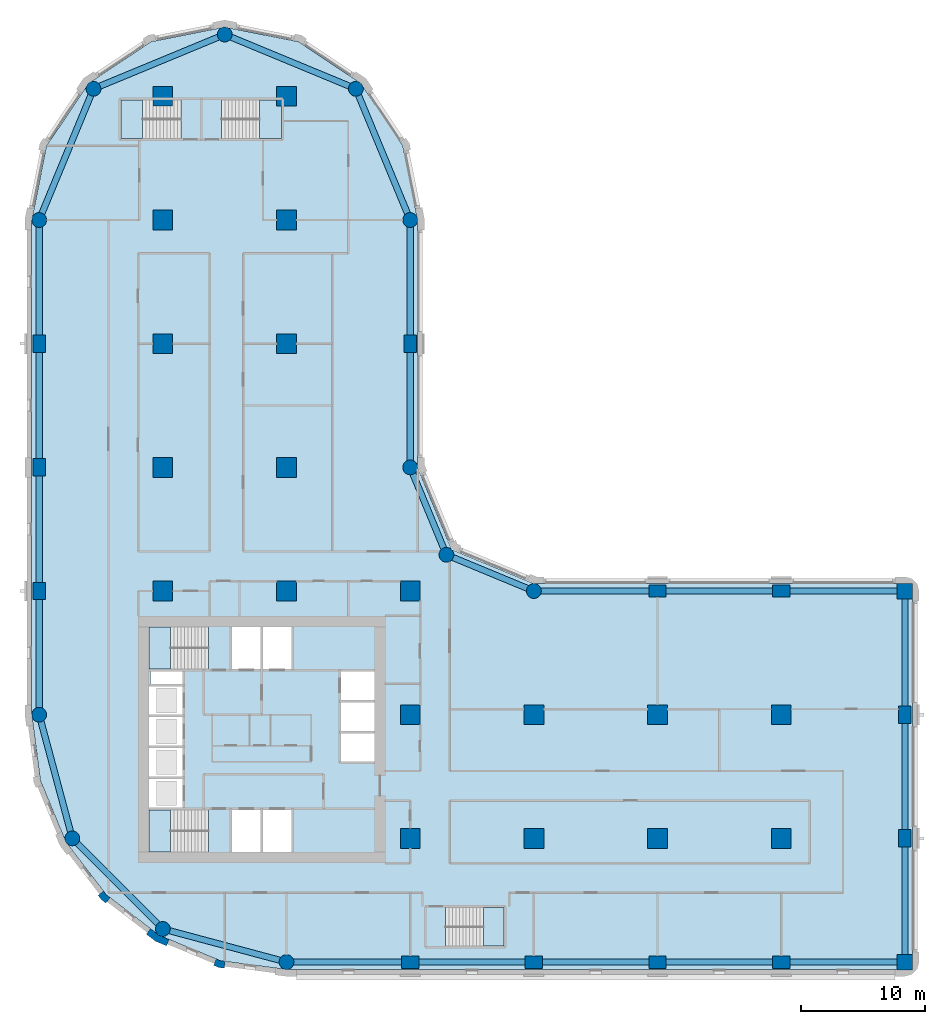
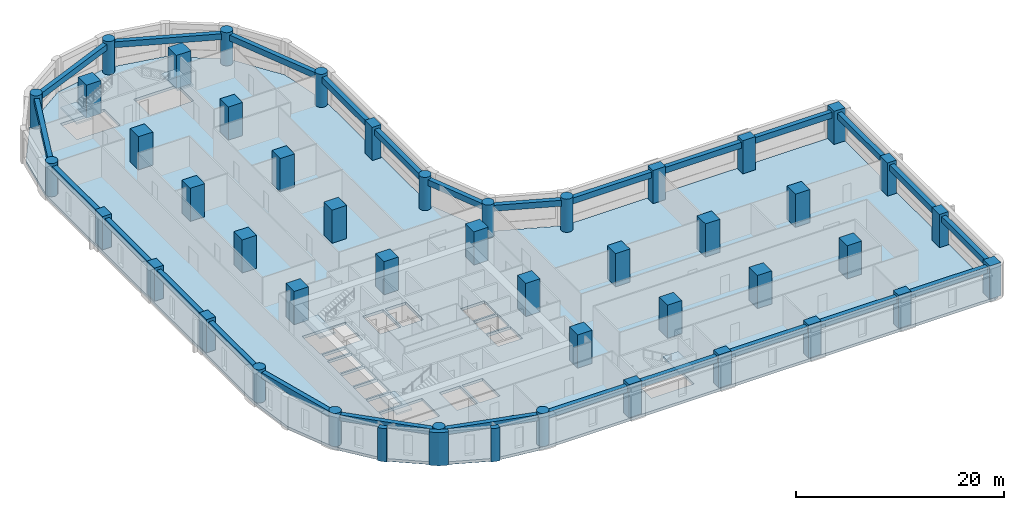
# One storey, part 1 of 10: 45 columns, 26 beams, 6 slabs, 3 walls, 5 elements without a shape of their own.
"""IFC4 building model written with IfcOpenShell, lengths in metres."""

import ifcopenshell
import ifcopenshell.guid

model = None  # the IFC model being written
_history = None  # IfcOwnerHistory: only IFC2X3 demands one
_inside = {}  # id of a spatial element -> (the spatial element, [elements in it])
_under = {}  # id of a project, library or spatial element -> (it, [spatial elements below it])
_declared = {}  # id of a project -> (the project, [libraries it declares])
_typed = {}  # id of a type object -> (the type object, [elements of that type])
_made_of = {}  # id of a material, layer set ... -> (it, [elements and type objects made of it])


def new_model(schema):
    """Start an empty IFC model of exactly this schema.

    Asked for "IFC4X3", IfcOpenShell would pick the latest addendum, in which some entities
    have other attributes; the version numbers below select the first issue.
    IFC2X3 requires an IfcOwnerHistory on every rooted entity: one is made here for all.
    """
    global model, _history
    if schema == "IFC4X3":
        model = ifcopenshell.file(schema_version=(4, 3, 0, 0))
    else:
        model = ifcopenshell.file(schema=schema)
    _inside.clear()
    _under.clear()
    _declared.clear()
    _typed.clear()
    _made_of.clear()
    _history = None
    if model.schema == "IFC2X3":
        org = make("IfcOrganization", Name="unknown")
        user = make(
            "IfcPersonAndOrganization",
            ThePerson=make("IfcPerson", FamilyName="unknown"),
            TheOrganization=org,
        )
        app = make(
            "IfcApplication",
            ApplicationDeveloper=org,
            Version="unknown",
            ApplicationFullName="unknown",
            ApplicationIdentifier="unknown",
        )
        _history = make(
            "IfcOwnerHistory",
            OwningUser=user,
            OwningApplication=app,
            ChangeAction="ADDED",
            CreationDate=0,
        )
    return model


def make(cls, **values):
    """One entity of the class cls with the attributes given. An attribute that is None is left unset."""
    return model.create_entity(
        cls, **{name: value for name, value in values.items() if value is not None}
    )


def rooted(cls, **values):
    """An entity with a GlobalId (a new one), such as an element, a storey or a relation."""
    return make(cls, GlobalId=ifcopenshell.guid.new(), OwnerHistory=_history, **values)


def si_unit(unit_type, name, prefix=None):
    """IfcSIUnit, for example si_unit("LENGTHUNIT", "METRE", prefix="MILLI")."""
    return make("IfcSIUnit", UnitType=unit_type, Prefix=prefix, Name=name)


def assignment(units):
    """IfcUnitAssignment: the units of a project."""
    return None if units is None else make("IfcUnitAssignment", Units=units)


def point(xyz):
    """IfcCartesianPoint."""
    return None if xyz is None else make("IfcCartesianPoint", Coordinates=xyz)


def direction(xyz):
    """IfcDirection."""
    return None if xyz is None else make("IfcDirection", DirectionRatios=xyz)


def frame(location, z_axis=None, x_axis=None):
    """IfcAxis2Placement3D, a coordinate frame: its origin and axes. An axis left out is left unset."""
    return make(
        "IfcAxis2Placement3D",
        Location=point(location),
        Axis=direction(z_axis),
        RefDirection=direction(x_axis),
    )


def frame_2d(location, x_axis=None):
    """IfcAxis2Placement2D, a coordinate frame in the plane: its origin and x axis."""
    return make(
        "IfcAxis2Placement2D", Location=point(location), RefDirection=direction(x_axis)
    )


def origin():
    """The frame at (0, 0, 0) with its axes left unset."""
    return frame((0.0, 0.0, 0.0))


def origin_2d():
    """The frame at (0, 0) in the plane with its x axis left unset."""
    return frame_2d((0.0, 0.0))


def place(relative_to, where):
    """IfcLocalPlacement: puts the frame where relative to a parent placement (None: the world)."""
    return make(
        "IfcLocalPlacement", PlacementRelTo=relative_to, RelativePlacement=where
    )


def context(
    kind, dimensions, precision=None, world=None, true_north=None, identifier=None
):
    """IfcGeometricRepresentationContext, for example the 3D "Model" context."""
    return make(
        "IfcGeometricRepresentationContext",
        ContextIdentifier=identifier,
        ContextType=kind,
        CoordinateSpaceDimension=dimensions,
        Precision=precision,
        WorldCoordinateSystem=world,
        TrueNorth=true_north,
    )


def subcontext(parent, identifier, kind, view, scale=None):
    """IfcGeometricRepresentationSubContext, for example "Body" below "Model"."""
    return make(
        "IfcGeometricRepresentationSubContext",
        ContextIdentifier=identifier,
        ContextType=kind,
        ParentContext=parent,
        TargetScale=scale,
        TargetView=view,
    )


def project(units=None, contexts=None):
    """IfcProject with its units and contexts."""
    return rooted(
        "IfcProject",
        Name="project",
        RepresentationContexts=contexts,
        UnitsInContext=assignment(units),
    )


def spatial(cls, under=None, at=None, **own):
    """A site, building, storey or space (cls), placed at a placement, below another one or the project."""
    s = rooted(cls, ObjectPlacement=at, **own)
    if under is not None:
        _under.setdefault(under.id(), (under, []))[1].append(s)
    return s


def polyline(points):
    """IfcPolyline through the points."""
    return make("IfcPolyline", Points=[point(p) for p in points])


def profile(cls, at=None, kind="AREA", **sizes):
    """A parametric profile (cls). Its sizes go by their IFC names, for example OverallWidth=200.0."""
    return make(cls, ProfileType=kind, Position=at, **sizes)


def rectangle(**sizes):
    """IfcRectangleProfileDef."""
    return profile("IfcRectangleProfileDef", **sizes)


def circle(**sizes):
    """IfcCircleProfileDef."""
    return profile("IfcCircleProfileDef", **sizes)


def outline(outer, holes=None, kind="AREA"):
    """IfcArbitraryClosedProfileDef: a profile drawn as a closed curve; with holes, ...WithVoids."""
    if holes is None:
        return make("IfcArbitraryClosedProfileDef", ProfileType=kind, OuterCurve=outer)
    return make(
        "IfcArbitraryProfileDefWithVoids",
        ProfileType=kind,
        OuterCurve=outer,
        InnerCurves=holes,
    )


def extrude(swept, where, along, depth):
    """IfcExtrudedAreaSolid: the profile swept, set in the frame where, extruded along a direction by depth."""
    return make(
        "IfcExtrudedAreaSolid",
        SweptArea=swept,
        Position=where,
        ExtrudedDirection=direction(along),
        Depth=depth,
    )


def shape(context_of_items, identifier, shape_type, items):
    """IfcShapeRepresentation: the items that make up one representation, for example the "Body"."""
    return make(
        "IfcShapeRepresentation",
        ContextOfItems=context_of_items,
        RepresentationIdentifier=identifier,
        RepresentationType=shape_type,
        Items=items,
    )


def material(Name=None, Category=None):
    """IfcMaterial."""
    return make("IfcMaterial", Name=Name, Category=Category)


def layer(
    of_material, thickness, ventilated=None, Name=None, Category=None, Priority=None
):
    """IfcMaterialLayer: one layer of a wall or slab, of a material (None: an air gap)."""
    return make(
        "IfcMaterialLayer",
        Material=of_material,
        LayerThickness=thickness,
        IsVentilated=ventilated,
        Name=Name,
        Category=Category,
        Priority=Priority,
    )


def layer_set(layers, Name=None):
    """IfcMaterialLayerSet."""
    return make("IfcMaterialLayerSet", MaterialLayers=layers, LayerSetName=Name)


def material_profile(
    of_material, cross_section, Name=None, Category=None, Priority=None
):
    """IfcMaterialProfile: a cross section and its material."""
    return make(
        "IfcMaterialProfile",
        Name=Name,
        Material=of_material,
        Profile=cross_section,
        Priority=Priority,
        Category=Category,
    )


def profile_set(profiles, Name=None, composite=None):
    """IfcMaterialProfileSet."""
    return make(
        "IfcMaterialProfileSet",
        Name=Name,
        MaterialProfiles=profiles,
        CompositeProfile=composite,
    )


def made_of(thing, what):
    """Note that an element or type object is made of a material, layer set ...; save() writes the relation."""
    if what is not None:
        _made_of.setdefault(what.id(), (what, []))[1].append(thing)
    return thing


def type_object(cls, material=None, **own):
    """A type object (cls), such as IfcWallType, which elements share."""
    return made_of(rooted(cls, **own), material)


def element(
    cls,
    number,
    at=None,
    inside=None,
    cuts=None,
    type_object=None,
    material=None,
    context=None,
    identifier="Body",
    shape_type=None,
    held_by="IfcProductDefinitionShape",
    body=None,
    shapes=None,
    **own,
):
    """One element of the class cls, such as IfcWall. Its Tag is "e" and its number.

    at: its placement. inside: the storey or other place that contains it. cuts: it is an
    opening in that element (IfcRelVoidsElement). A single representation is given by context,
    identifier, shape_type and body (its items); several are given by shapes. held_by: the class
    of the entity that holds the representations. save() writes the other relations.
    """
    e = rooted(cls, Tag="e%d" % number, ObjectPlacement=at, **own)
    if body is not None:
        shapes = [shape(context, identifier, shape_type, body)]
    if shapes is not None:
        e.Representation = make(held_by, Representations=shapes)
    if inside is not None:
        _inside.setdefault(inside.id(), (inside, []))[1].append(e)
    if cuts is not None:
        rooted(
            "IfcRelVoidsElement", RelatingBuildingElement=cuts, RelatedOpeningElement=e
        )
    if type_object is not None:
        _typed.setdefault(type_object.id(), (type_object, []))[1].append(e)
    return made_of(e, material)


def aggregate(whole, parts):
    """IfcRelAggregates: a whole, such as a stair, and the parts it consists of."""
    return rooted("IfcRelAggregates", RelatingObject=whole, RelatedObjects=parts)


def save(model, path):
    """Write the relations noted so far, then the file.

    IfcRelAggregates (storeys below a building ...), IfcRelContainedInSpatialStructure (elements
    in a storey), IfcRelDefinesByType, IfcRelAssociatesMaterial and IfcRelDeclares: one each for
    every whole, place, type object, material and project.
    """
    for whole, parts in _under.values():
        aggregate(whole, parts)
    for where, things in _inside.values():
        rooted(
            "IfcRelContainedInSpatialStructure",
            RelatedElements=things,
            RelatingStructure=where,
        )
    for kind, things in _typed.values():
        rooted("IfcRelDefinesByType", RelatedObjects=things, RelatingType=kind)
    for what, things in _made_of.values():
        rooted("IfcRelAssociatesMaterial", RelatedObjects=things, RelatingMaterial=what)
    for by, libraries in _declared.values():
        rooted("IfcRelDeclares", RelatingContext=by, RelatedDefinitions=libraries)
    model.write(path)


model = new_model("IFC4")

# Units and contexts
model_context = context("Model", 3, precision=1e-05, world=origin(), true_north=direction((0.0, 1.0)))
body_context = subcontext(model_context, "Body", "Model", "MODEL_VIEW")
ifc_project = project(units=[si_unit("LENGTHUNIT", "METRE"), si_unit("AREAUNIT", "SQUARE_METRE"), si_unit("VOLUMEUNIT", "CUBIC_METRE"), si_unit("PLANEANGLEUNIT", "RADIAN"), si_unit("MASSUNIT", "GRAM", prefix="KILO")], contexts=[model_context])

# Site, building, storey
site_placement = place(None, origin())
site = spatial("IfcSite", under=ifc_project, at=site_placement, CompositionType="ELEMENT")
building_placement = place(site_placement, origin())
building = spatial("IfcBuilding", under=site, at=building_placement, Name="Qaws Garden Tower", CompositionType="ELEMENT")
storey_placement = place(building_placement, frame((0.0, 0.0, 109.5)))
storey = spatial("IfcBuildingStorey", under=building, at=storey_placement, Name="L27", CompositionType="ELEMENT", Elevation=109.5)

# Columns
ifc_material_1 = material(Name="Concrete C80", Category="concrete")
ifc_material_profile_1 = material_profile(ifc_material_1, rectangle(XDim=1.25, YDim=1.25, at=origin_2d()), Name="RC 1250x1250")
ifc_profile_set_1 = profile_set([ifc_material_profile_1], Name="Concrete C80")
column_type_1 = type_object("IfcColumnType", Name="Column RC 1250x1250 C80", PredefinedType="COLUMN", material=ifc_profile_set_1)
for number, where, z_axis, x_axis, name in (
    (1, (70.0, 0.0, 0.0), (0.0, 0.0, 1.0), (1.0, 0.0, 0.0), "Column L27-006"),
    (2, (70.0, 30.0, 0.0), (0.0, 0.0, 1.0), (1.0, 0.0, 0.0), "Column L27-009"),
):
    element("IfcColumn", number, at=place(storey_placement, frame(where, z_axis=z_axis, x_axis=x_axis)), inside=storey, type_object=column_type_1, Name=name, PredefinedType="COLUMN", context=body_context, shape_type="SweptSolid", body=[
        extrude(rectangle(XDim=1.25, YDim=1.25, at=origin_2d()), origin(), (0.0, 0.0, 1.0), 3.89990234375),
    ])
ifc_material_2 = material(Name="Concrete C80", Category="concrete")
ifc_material_profile_2 = material_profile(ifc_material_2, rectangle(XDim=1.39990234375, YDim=1.0, at=origin_2d()), Name="RC 1400x1000")
ifc_profile_set_2 = profile_set([ifc_material_profile_2], Name="Concrete C80")
column_type_2 = type_object("IfcColumnType", Name="Column RC 1400x1000 C80", PredefinedType="COLUMN", material=ifc_profile_set_2)
for number, where, z_axis, x_axis, name in (
    (3, (30.0, 0.0, 0.0), (0.0, 0.0, 1.0), (1.0, 0.0, 0.0), "Column L27-002"),
    (4, (40.0, 0.0, 0.0), (0.0, 0.0, 1.0), (1.0, 0.0, 0.0), "Column L27-003"),
    (5, (50.0, 0.0, 0.0), (0.0, 0.0, 1.0), (1.0, 0.0, 0.0), "Column L27-004"),
    (6, (60.0, 0.0, 0.0), (0.0, 0.0, 1.0), (1.0, 0.0, 0.0), "Column L27-005"),
    (7, (70.0, 10.0, 0.0), (0.0, 0.0, 1.0), (0.0, 1.0, 0.0), "Column L27-007"),
    (8, (70.0, 20.0, 0.0), (0.0, 0.0, 1.0), (0.0, 1.0, 0.0), "Column L27-008"),
    (9, (60.0, 30.0, 0.0), (0.0, 0.0, 1.0), (1.0, 0.0, 0.0), "Column L27-010"),
    (10, (50.0, 30.0, 0.0), (0.0, 0.0, 1.0), (1.0, 0.0, 0.0), "Column L27-011"),
    (11, (30.0, 50.0, 0.0), (0.0, 0.0, 1.0), (0.0, 1.0, 0.0), "Column L27-015"),
    (12, (0.0, 50.0, 0.0), (0.0, 0.0, 1.0), (0.0, 1.0, 0.0), "Column L27-021"),
    (13, (0.0, 40.0, 0.0), (0.0, 0.0, 1.0), (0.0, 1.0, 0.0), "Column L27-022"),
    (14, (0.0, 30.0, 0.0), (0.0, 0.0, 1.0), (0.0, 1.0, 0.0), "Column L27-023"),
):
    element("IfcColumn", number, at=place(storey_placement, frame(where, z_axis=z_axis, x_axis=x_axis)), inside=storey, type_object=column_type_2, Name=name, PredefinedType="COLUMN", context=body_context, shape_type="SweptSolid", body=[
        extrude(rectangle(XDim=1.39990234375, YDim=1.0, at=origin_2d()), origin(), (0.0, 0.0, 1.0), 3.89990234375),
    ])
ifc_material_3 = material(Name="Concrete C80", Category="concrete")
ifc_material_profile_3 = material_profile(ifc_material_3, rectangle(XDim=1.60009765625, YDim=1.60009765625, at=origin_2d()), Name="RC 1600x1600")
ifc_profile_set_3 = profile_set([ifc_material_profile_3], Name="Concrete C80")
column_type_3 = type_object("IfcColumnType", Name="Column RC 1600x1600 C80", PredefinedType="COLUMN", material=ifc_profile_set_3)
for number, where, z_axis, x_axis, name in (
    (15, (10.0, 30.0, 0.0), (0.0, 0.0, 1.0), (1.0, 0.0, 0.0), "Column L27-027"),
    (16, (10.0, 40.0, 0.0), (0.0, 0.0, 1.0), (1.0, 0.0, 0.0), "Column L27-028"),
    (17, (10.0, 50.0, 0.0), (0.0, 0.0, 1.0), (1.0, 0.0, 0.0), "Column L27-029"),
    (18, (10.0, 60.0, 0.0), (0.0, 0.0, 1.0), (1.0, 0.0, 0.0), "Column L27-030"),
    (19, (10.0, 70.0, 0.0), (0.0, 0.0, 1.0), (1.0, 0.0, 0.0), "Column L27-031"),
    (20, (20.0, 30.0, 0.0), (0.0, 0.0, 1.0), (1.0, 0.0, 0.0), "Column L27-032"),
    (21, (20.0, 40.0, 0.0), (0.0, 0.0, 1.0), (1.0, 0.0, 0.0), "Column L27-033"),
    (22, (20.0, 50.0, 0.0), (0.0, 0.0, 1.0), (1.0, 0.0, 0.0), "Column L27-034"),
    (23, (20.0, 60.0, 0.0), (0.0, 0.0, 1.0), (1.0, 0.0, 0.0), "Column L27-035"),
    (24, (20.0, 70.0, 0.0), (0.0, 0.0, 1.0), (1.0, 0.0, 0.0), "Column L27-036"),
    (25, (30.0, 10.0, 0.0), (0.0, 0.0, 1.0), (1.0, 0.0, 0.0), "Column L27-037"),
    (26, (30.0, 20.0, 0.0), (0.0, 0.0, 1.0), (1.0, 0.0, 0.0), "Column L27-038"),
    (27, (30.0, 30.0, 0.0), (0.0, 0.0, 1.0), (1.0, 0.0, 0.0), "Column L27-039"),
    (28, (40.0, 10.0, 0.0), (0.0, 0.0, 1.0), (1.0, 0.0, 0.0), "Column L27-040"),
    (29, (40.0, 20.0, 0.0), (0.0, 0.0, 1.0), (1.0, 0.0, 0.0), "Column L27-041"),
    (30, (50.0, 10.0, 0.0), (0.0, 0.0, 1.0), (1.0, 0.0, 0.0), "Column L27-042"),
    (31, (50.0, 20.0, 0.0), (0.0, 0.0, 1.0), (1.0, 0.0, 0.0), "Column L27-043"),
    (32, (60.0, 10.0, 0.0), (0.0, 0.0, 1.0), (1.0, 0.0, 0.0), "Column L27-044"),
    (33, (60.0, 20.0, 0.0), (0.0, 0.0, 1.0), (1.0, 0.0, 0.0), "Column L27-045"),
):
    element("IfcColumn", number, at=place(storey_placement, frame(where, z_axis=z_axis, x_axis=x_axis)), inside=storey, type_object=column_type_3, Name=name, PredefinedType="COLUMN", context=body_context, shape_type="SweptSolid", body=[
        extrude(rectangle(XDim=1.60009765625, YDim=1.60009765625, at=origin_2d()), origin(), (0.0, 0.0, 1.0), 3.89990234375),
    ])
ifc_material_4 = material(Name="Concrete C80", Category="concrete")
ifc_material_profile_4 = material_profile(ifc_material_4, circle(Radius=0.60009765625, at=origin_2d()), Name="RC D1200")
ifc_profile_set_4 = profile_set([ifc_material_profile_4], Name="Concrete C80")
column_type_4 = type_object("IfcColumnType", Name="Column RC D1200 C80", PredefinedType="COLUMN", material=ifc_profile_set_4)
for number, where, z_axis, x_axis, name in (
    (34, (20.0, 0.0, 0.0), (0.0, 0.0, 1.0), (1.0, 0.0, 0.0), "Column L27-001"),
    (35, (40.0, 30.0, 0.0), (0.0, 0.0, 1.0), (1.0, 0.0, 0.0), "Column L27-012"),
    (36, (32.928955078125, 32.928955078125, 0.0), (0.0, 0.0, 1.0), (1.0, 0.0, 0.0), "Column L27-013"),
    (37, (30.0, 40.0, 0.0), (0.0, 0.0, 1.0), (1.0, 0.0, 0.0), "Column L27-014"),
    (38, (30.0, 60.0, 0.0), (0.0, 0.0, 1.0), (1.0, 0.0, 0.0), "Column L27-016"),
    (39, (25.606689453125, 70.606689453125, 0.0), (0.0, 0.0, 1.0), (1.0, 0.0, 0.0), "Column L27-017"),
    (40, (15.0, 75.0, 0.0), (0.0, 0.0, 1.0), (1.0, 0.0, 0.0), "Column L27-018"),
    (41, (4.393310546875, 70.606689453125, 0.0), (0.0, 0.0, 1.0), (1.0, 0.0, 0.0), "Column L27-019"),
    (42, (0.0, 60.0, 0.0), (0.0, 0.0, 1.0), (1.0, 0.0, 0.0), "Column L27-020"),
    (43, (0.0, 20.0, 0.0), (0.0, 0.0, 1.0), (1.0, 0.0, 0.0), "Column L27-024"),
    (44, (2.679443359375, 10.0, 0.0), (0.0, 0.0, 1.0), (1.0, 0.0, 0.0), "Column L27-025"),
    (45, (10.0, 2.679443359375, 0.0), (0.0, 0.0, 1.0), (1.0, 0.0, 0.0), "Column L27-026"),
):
    element("IfcColumn", number, at=place(storey_placement, frame(where, z_axis=z_axis, x_axis=x_axis)), inside=storey, type_object=column_type_4, Name=name, PredefinedType="COLUMN", context=body_context, shape_type="SweptSolid", body=[
        extrude(circle(Radius=0.60009765625, at=origin_2d()), origin(), (0.0, 0.0, 1.0), 3.89990234375),
    ])

# Beams
ifc_material_5 = material(Name="Concrete C45", Category="concrete")
ifc_material_profile_5 = material_profile(ifc_material_5, rectangle(XDim=0.5, YDim=0.699951171875, at=origin_2d()), Name="RC 500x700")
ifc_profile_set_5 = profile_set([ifc_material_profile_5], Name="Concrete C45")
beam_type = type_object("IfcBeamType", Name="Spandrel beam RC 500x700 C45", PredefinedType="SPANDREL", material=ifc_profile_set_5)
for number, where, z_axis, x_axis, name in (
    (46, (20.0, 0.0, 3.22998046875), (1.0, 0.0, 0.0), (0.0, 1.0, 0.0), "Spandrel beam L27-001"),
    (47, (30.0, 0.0, 3.22998046875), (1.0, 0.0, 0.0), (0.0, 1.0, 0.0), "Spandrel beam L27-002"),
    (48, (40.0, 0.0, 3.22998046875), (1.0, 0.0, 0.0), (0.0, 1.0, 0.0), "Spandrel beam L27-003"),
    (49, (50.0, 0.0, 3.22998046875), (1.0, 0.0, 0.0), (0.0, 1.0, 0.0), "Spandrel beam L27-004"),
    (50, (60.0, 0.0, 3.22998046875), (1.0, 0.0, 0.0), (0.0, 1.0, 0.0), "Spandrel beam L27-005"),
    (51, (70.0, 0.0, 3.22998046875), (0.0, 1.0, 0.0), (-1.0, 0.0, 0.0), "Spandrel beam L27-006"),
    (52, (70.0, 10.0, 3.22998046875), (0.0, 1.0, 0.0), (-1.0, 0.0, 0.0), "Spandrel beam L27-007"),
    (53, (70.0, 20.0, 3.22998046875), (0.0, 1.0, 0.0), (-1.0, 0.0, 0.0), "Spandrel beam L27-008"),
    (54, (70.0, 30.0, 3.22998046875), (-1.0, 0.0, 0.0), (0.0, -1.0, 0.0), "Spandrel beam L27-009"),
    (55, (60.0, 30.0, 3.22998046875), (-1.0, 0.0, 0.0), (0.0, -1.0, 0.0), "Spandrel beam L27-010"),
    (56, (50.0, 30.0, 3.22998046875), (-1.0, 0.0, 0.0), (0.0, -1.0, 0.0), "Spandrel beam L27-011"),
):
    element("IfcBeam", number, at=place(storey_placement, frame(where, z_axis=z_axis, x_axis=x_axis)), inside=storey, type_object=beam_type, Name=name, PredefinedType="SPANDREL", context=body_context, shape_type="SweptSolid", body=[
        extrude(rectangle(XDim=0.5, YDim=0.699951171875, at=origin_2d()), origin(), (0.0, 0.0, 1.0), 10.0),
    ])
for number, where, z_axis, x_axis, name in (
    (57, (40.0, 30.0, 3.22998046875), (-0.923878037141, 0.382687042488, 0.0), (-0.382687042488, -0.923878037141, 0.0), "Spandrel beam L27-012"),
    (58, (32.928955078125, 32.928955078125, 3.22998046875), (-0.382687042488, 0.923878037141, 0.0), (-0.923878037141, -0.382687042488, 0.0), "Spandrel beam L27-013"),
):
    element("IfcBeam", number, at=place(storey_placement, frame(where, z_axis=z_axis, x_axis=x_axis)), inside=storey, type_object=beam_type, Name=name, PredefinedType="SPANDREL", context=body_context, shape_type="SweptSolid", body=[
        extrude(rectangle(XDim=0.5, YDim=0.699951171875, at=origin_2d()), origin(), (0.0, 0.0, 1.0), 7.653564453125),
    ])
for number, where, z_axis, x_axis, name in (
    (59, (30.0, 40.0, 3.22998046875), (0.0, 1.0, 0.0), (-1.0, 0.0, 0.0), "Spandrel beam L27-014"),
    (60, (30.0, 50.0, 3.22998046875), (0.0, 1.0, 0.0), (-1.0, 0.0, 0.0), "Spandrel beam L27-015"),
):
    element("IfcBeam", number, at=place(storey_placement, frame(where, z_axis=z_axis, x_axis=x_axis)), inside=storey, type_object=beam_type, Name=name, PredefinedType="SPANDREL", context=body_context, shape_type="SweptSolid", body=[
        extrude(rectangle(XDim=0.5, YDim=0.699951171875, at=origin_2d()), origin(), (0.0, 0.0, 1.0), 10.0),
    ])
for number, where, z_axis, x_axis, name in (
    (61, (30.0, 60.0, 3.22998046875), (-0.382674207535, 0.923883353507, 0.0), (-0.923883353507, -0.382674207535, 0.0), "Spandrel beam L27-016"),
    (62, (25.606689453125, 70.606689453125, 3.22998046875), (-0.923883353507, 0.382674207535, 0.0), (-0.382674207535, -0.923883353507, 0.0), "Spandrel beam L27-017"),
    (63, (15.0, 75.0, 3.22998046875), (-0.923883353507, -0.382674207535, 0.0), (0.382674207535, -0.923883353507, 0.0), "Spandrel beam L27-018"),
    (64, (4.393310546875, 70.606689453125, 3.22998046875), (-0.382674207535, -0.923883353507, 0.0), (0.923883353507, -0.382674207535, 0.0), "Spandrel beam L27-019"),
):
    element("IfcBeam", number, at=place(storey_placement, frame(where, z_axis=z_axis, x_axis=x_axis)), inside=storey, type_object=beam_type, Name=name, PredefinedType="SPANDREL", context=body_context, shape_type="SweptSolid", body=[
        extrude(rectangle(XDim=0.5, YDim=0.699951171875, at=origin_2d()), origin(), (0.0, 0.0, 1.0), 11.48046875),
    ])
for number, where, z_axis, x_axis, name in (
    (65, (0.0, 60.0, 3.22998046875), (0.0, -1.0, 0.0), (1.0, 0.0, 0.0), "Spandrel beam L27-020"),
    (66, (0.0, 50.0, 3.22998046875), (0.0, -1.0, 0.0), (1.0, 0.0, 0.0), "Spandrel beam L27-021"),
    (67, (0.0, 40.0, 3.22998046875), (0.0, -1.0, 0.0), (1.0, 0.0, 0.0), "Spandrel beam L27-022"),
    (68, (0.0, 30.0, 3.22998046875), (0.0, -1.0, 0.0), (1.0, 0.0, 0.0), "Spandrel beam L27-023"),
):
    element("IfcBeam", number, at=place(storey_placement, frame(where, z_axis=z_axis, x_axis=x_axis)), inside=storey, type_object=beam_type, Name=name, PredefinedType="SPANDREL", context=body_context, shape_type="SweptSolid", body=[
        extrude(rectangle(XDim=0.5, YDim=0.699951171875, at=origin_2d()), origin(), (0.0, 0.0, 1.0), 10.0),
    ])
for number, where, z_axis, x_axis, name in (
    (69, (0.0, 20.0, 3.22998046875), (0.25881466832, -0.965926999034, 0.0), (0.965926999034, 0.25881466832, 0.0), "Spandrel beam L27-024"),
    (70, (2.679443359375, 10.0, 3.22998046875), (0.707106781187, -0.707106781187, 0.0), (0.707106781187, 0.707106781187, 0.0), "Spandrel beam L27-025"),
    (71, (10.0, 2.679443359375, 3.22998046875), (0.965926999034, -0.25881466832, 0.0), (0.25881466832, 0.965926999034, 0.0), "Spandrel beam L27-026"),
):
    element("IfcBeam", number, at=place(storey_placement, frame(where, z_axis=z_axis, x_axis=x_axis)), inside=storey, type_object=beam_type, Name=name, PredefinedType="SPANDREL", context=body_context, shape_type="SweptSolid", body=[
        extrude(rectangle(XDim=0.5, YDim=0.699951171875, at=origin_2d()), origin(), (0.0, 0.0, 1.0), 10.352783203125),
    ])

# Slab
ifc_material_6 = material(Name="Concrete C40", Category="concrete")
ifc_layer_1 = layer(ifc_material_6, 0.320068359375)
ifc_layer_set_1 = layer_set([ifc_layer_1], Name="Concrete C40")
slab_type_1 = type_object("IfcSlabType", Name="Floor slab 320 C40", PredefinedType="FLOOR", material=ifc_layer_set_1)
slab_1_placement = place(storey_placement, frame((0.0, 0.0, -0.320068359375)))
element("IfcSlab", 72, at=slab_1_placement, inside=storey, type_object=slab_type_1, Name="Floor slab L27", PredefinedType="FLOOR", context=body_context, shape_type="SweptSolid", body=[
    extrude(outline(polyline([(0.101806640625, 14.668212890625), (-0.60009765625, 20.0), (-0.60009765625, 30.60009765625), (-0.60009765625, 60.0), (-0.60009765625, 60.0), (0.58740234375, 65.969970703125), (3.968994140625, 71.031005859375), (9.030029296875, 74.41259765625), (15.0, 75.60009765625), (20.969970703125, 74.41259765625), (26.031005859375, 71.031005859375), (29.41259765625, 65.969970703125), (30.60009765625, 60.0), (30.60009765625, 40.0), (33.353271484375, 33.353271484375), (40.0, 30.60009765625), (70.0, 30.60009765625), (70.42431640625, 30.42431640625), (70.60009765625, 30.0), (70.60009765625, 0.0), (70.42431640625, -0.42431640625), (70.0, -0.60009765625), (30.60009765625, -0.60009765625), (20.0, -0.60009765625), (14.668212890625, 0.101806640625), (9.699951171875, 2.159912109375), (5.43359375, 5.43359375), (2.159912109375, 9.699951171875), (0.101806640625, 14.668212890625)]), holes=[polyline([(13.699462890625, 12.300048828125), (8.89990234375, 12.300048828125), (8.89990234375, 8.89990234375), (13.699462890625, 8.89990234375), (13.699462890625, 12.300048828125)]), polyline([(17.89990234375, 12.300048828125), (15.60009765625, 12.300048828125), (15.60009765625, 8.89990234375), (17.89990234375, 8.89990234375), (17.89990234375, 12.300048828125)]), polyline([(11.60009765625, 14.800048828125), (8.89990234375, 14.800048828125), (8.89990234375, 12.5), (11.60009765625, 12.5), (11.60009765625, 14.800048828125)]), polyline([(11.60009765625, 17.300048828125), (8.89990234375, 17.300048828125), (8.89990234375, 15.0), (11.60009765625, 15.0), (11.60009765625, 17.300048828125)]), polyline([(11.60009765625, 19.800048828125), (8.89990234375, 19.800048828125), (8.89990234375, 17.5), (11.60009765625, 17.5), (11.60009765625, 19.800048828125)]), polyline([(11.60009765625, 22.300048828125), (8.89990234375, 22.300048828125), (8.89990234375, 20.0), (11.60009765625, 20.0), (11.60009765625, 22.300048828125)]), polyline([(11.60009765625, 23.5), (9.0, 23.5), (9.0, 22.5), (11.60009765625, 22.5), (11.60009765625, 23.5)]), polyline([(13.699462890625, 27.10009765625), (8.89990234375, 27.10009765625), (8.89990234375, 23.699951171875), (13.699462890625, 23.699951171875), (13.699462890625, 27.10009765625)]), polyline([(11.449462890625, 69.699951171875), (6.60009765625, 69.699951171875), (6.60009765625, 66.60009765625), (11.449462890625, 66.60009765625), (11.449462890625, 69.699951171875)]), polyline([(37.60009765625, 4.39990234375), (32.8505859375, 4.39990234375), (32.8505859375, 1.300048828125), (37.60009765625, 1.300048828125), (37.60009765625, 4.39990234375)]), polyline([(20.39990234375, 12.300048828125), (18.10009765625, 12.300048828125), (18.10009765625, 8.89990234375), (20.39990234375, 8.89990234375), (20.39990234375, 12.300048828125)]), polyline([(27.10009765625, 18.5), (24.39990234375, 18.5), (24.39990234375, 16.199951171875), (27.10009765625, 16.199951171875), (27.10009765625, 18.5)]), polyline([(27.10009765625, 21.0), (24.39990234375, 21.0), (24.39990234375, 18.699951171875), (27.10009765625, 18.699951171875), (27.10009765625, 21.0)]), polyline([(27.10009765625, 23.5), (24.39990234375, 23.5), (24.39990234375, 21.199951171875), (27.10009765625, 21.199951171875), (27.10009765625, 23.5)]), polyline([(17.89990234375, 27.10009765625), (15.60009765625, 27.10009765625), (15.60009765625, 23.699951171875), (17.89990234375, 23.699951171875), (17.89990234375, 27.10009765625)]), polyline([(20.39990234375, 23.699951171875), (20.39990234375, 27.10009765625), (18.10009765625, 27.10009765625), (18.10009765625, 23.699951171875), (20.39990234375, 23.699951171875)]), polyline([(19.60009765625, 66.60009765625), (19.60009765625, 69.699951171875), (14.75048828125, 69.699951171875), (14.75048828125, 66.60009765625), (19.60009765625, 66.60009765625)])]), origin(), (0.0, 0.0, 1.0), 0.320068359375),
])

# Stair, slab
ifc_material_7 = material(Name="Concrete C40", Category="concrete")
stair_type_1 = type_object("IfcStairType", Name="Exit stair 1500", PredefinedType="HALF_TURN_STAIR", material=ifc_material_7)
placement_1 = place(storey_placement, origin())
stair_1 = element("IfcStair", 73, at=placement_1, inside=storey, type_object=stair_type_1, Name="Stair 1", PredefinedType="HALF_TURN_STAIR")
ifc_material_8 = material(Name="Concrete C40", Category="concrete")
ifc_layer_2 = layer(ifc_material_8, 0.199951171875)
ifc_layer_set_2 = layer_set([ifc_layer_2], Name="Concrete C40")
slab_type_2 = type_object("IfcSlabType", Name="Stair landing 200", PredefinedType="LANDING", material=ifc_layer_set_2)
placement_2 = place(storey_placement, frame((0.0, 0.0, 1.75)))
slab_2 = element("IfcSlab", 74, at=placement_2, type_object=slab_type_2, Name="ST1 landing 1", PredefinedType="LANDING", context=body_context, shape_type="SweptSolid", body=[
    extrude(outline(polyline([(8.89990234375, 8.89990234375), (10.6201171875, 8.89990234375), (10.6201171875, 12.300048828125), (8.89990234375, 12.300048828125), (8.89990234375, 8.89990234375)])), origin(), (0.0, 0.0, 1.0), 0.199951171875),
])
aggregate(stair_1, [slab_2])

stair_2 = element("IfcStair", 75, at=placement_1, inside=storey, type_object=stair_type_1, Name="Stair 4", PredefinedType="HALF_TURN_STAIR")
slab_3 = element("IfcSlab", 76, at=placement_2, type_object=slab_type_2, Name="ST4 landing 1", PredefinedType="LANDING", context=body_context, shape_type="SweptSolid", body=[
    extrude(outline(polyline([(8.89990234375, 23.699951171875), (10.6201171875, 23.699951171875), (10.6201171875, 27.10009765625), (8.89990234375, 27.10009765625), (8.89990234375, 23.699951171875)])), origin(), (0.0, 0.0, 1.0), 0.199951171875),
])
aggregate(stair_2, [slab_3])

ifc_material_9 = material(Name="Concrete C40", Category="concrete")
stair_type_2 = type_object("IfcStairType", Name="Exit stair 1350", PredefinedType="HALF_TURN_STAIR", material=ifc_material_9)
stair_3 = element("IfcStair", 77, at=placement_1, inside=storey, type_object=stair_type_2, Name="Stair 5", PredefinedType="HALF_TURN_STAIR")
slab_4 = element("IfcSlab", 78, at=placement_2, type_object=slab_type_2, Name="ST5 landing 1", PredefinedType="LANDING", context=body_context, shape_type="SweptSolid", body=[
    extrude(outline(polyline([(35.929931640625, 1.300048828125), (37.60009765625, 1.300048828125), (37.60009765625, 4.39990234375), (35.929931640625, 4.39990234375), (35.929931640625, 1.300048828125)])), origin(), (0.0, 0.0, 1.0), 0.199951171875),
])
aggregate(stair_3, [slab_4])

stair_4 = element("IfcStair", 79, at=placement_1, inside=storey, type_object=stair_type_2, Name="Stair 6", PredefinedType="HALF_TURN_STAIR")
slab_5 = element("IfcSlab", 80, at=placement_2, type_object=slab_type_2, Name="ST6 landing 1", PredefinedType="LANDING", context=body_context, shape_type="SweptSolid", body=[
    extrude(outline(polyline([(6.60009765625, 66.60009765625), (8.3701171875, 66.60009765625), (8.3701171875, 69.699951171875), (6.60009765625, 69.699951171875), (6.60009765625, 66.60009765625)])), origin(), (0.0, 0.0, 1.0), 0.199951171875),
])
aggregate(stair_4, [slab_5])

stair_5 = element("IfcStair", 81, at=placement_1, inside=storey, type_object=stair_type_2, Name="Stair 7", PredefinedType="HALF_TURN_STAIR")
slab_6 = element("IfcSlab", 82, at=placement_2, type_object=slab_type_2, Name="ST7 landing 1", PredefinedType="LANDING", context=body_context, shape_type="SweptSolid", body=[
    extrude(outline(polyline([(17.830078125, 66.60009765625), (19.60009765625, 66.60009765625), (19.60009765625, 69.699951171875), (17.830078125, 69.699951171875), (17.830078125, 66.60009765625)])), origin(), (0.0, 0.0, 1.0), 0.199951171875),
])
aggregate(stair_5, [slab_6])

# Walls
ifc_material_10 = material(Name="Clay facing brick masonry", Category="masonry")
ifc_layer_3 = layer(ifc_material_10, 0.550048828125)
ifc_layer_set_3 = layer_set([ifc_layer_3], Name="Clay facing brick masonry")
wall_type_1 = type_object("IfcWallType", Name="Brick kink pier 550 x 600", PredefinedType="SOLIDWALL", material=ifc_layer_set_3)
element("IfcWall", 83, at=placement_1, inside=storey, type_object=wall_type_1, Name="E-L27-pier-30", PredefinedType="SOLIDWALL", context=body_context, shape_type="SweptSolid", body=[
    extrude(outline(polyline([(4.8818359375, 5.487060546875), (4.762939453125, 5.395751953125), (5.03759765625, 5.03759765625), (5.395751953125, 4.762939453125), (5.487060546875, 4.8818359375), (5.730712890625, 5.19921875), (5.429931640625, 5.429931640625), (5.19921875, 5.730712890625), (4.8818359375, 5.487060546875)])), origin(), (0.0, 0.0, 1.0), 3.89990234375),
])
element("IfcWall", 84, at=placement_1, inside=storey, type_object=wall_type_1, Name="E-L27-pier-32", PredefinedType="SOLIDWALL", context=body_context, shape_type="SweptSolid", body=[
    extrude(outline(polyline([(14.163818359375, -0.127685546875), (14.1064453125, -0.26611328125), (14.5234375, -0.43896484375), (14.970947265625, -0.497802734375), (14.990478515625, -0.34912109375), (15.042724609375, 0.04736328125), (14.6669921875, 0.096923828125), (14.31689453125, 0.241943359375), (14.163818359375, -0.127685546875)])), origin(), (0.0, 0.0, 1.0), 3.89990234375),
])
ifc_material_11 = material(Name="Clay facing brick masonry", Category="masonry")
ifc_layer_4 = layer(ifc_material_11, 0.550048828125)
ifc_layer_set_4 = layer_set([ifc_layer_4], Name="Clay facing brick masonry")
wall_type_2 = type_object("IfcWallType", Name="Brick pier 550 x 1600", PredefinedType="SOLIDWALL", material=ifc_layer_set_4)
element("IfcWall", 85, at=placement_1, inside=storey, type_object=wall_type_2, Name="E-L27-pier-31", PredefinedType="SOLIDWALL", context=body_context, shape_type="SweptSolid", body=[
    extrude(outline(polyline([(8.756591796875, 2.373046875), (8.665283203125, 2.254150390625), (9.419921875, 1.675048828125), (10.299072265625, 1.310791015625), (10.3564453125, 1.449462890625), (10.509521484375, 1.819091796875), (9.697509765625, 2.1552734375), (9.0, 2.6904296875), (8.756591796875, 2.373046875)])), origin(), (0.0, 0.0, 1.0), 3.89990234375),
])

save(model, "model.ifc")
